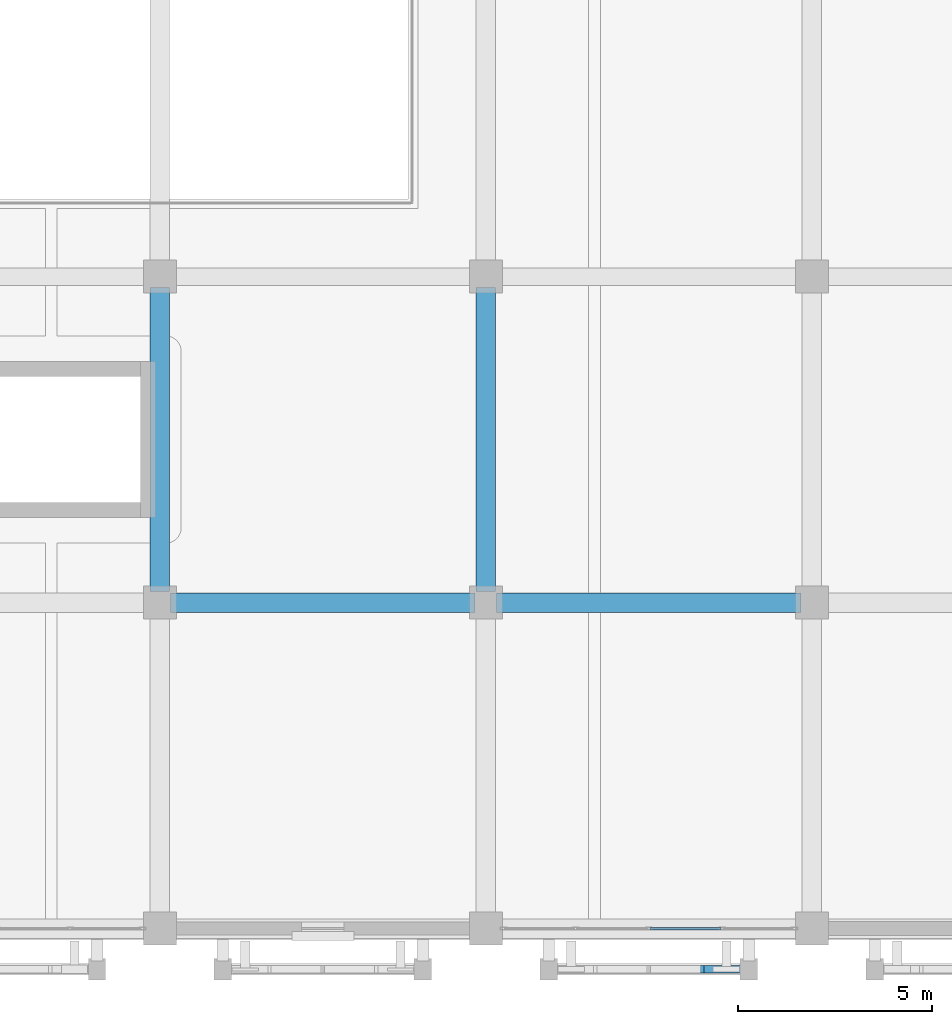
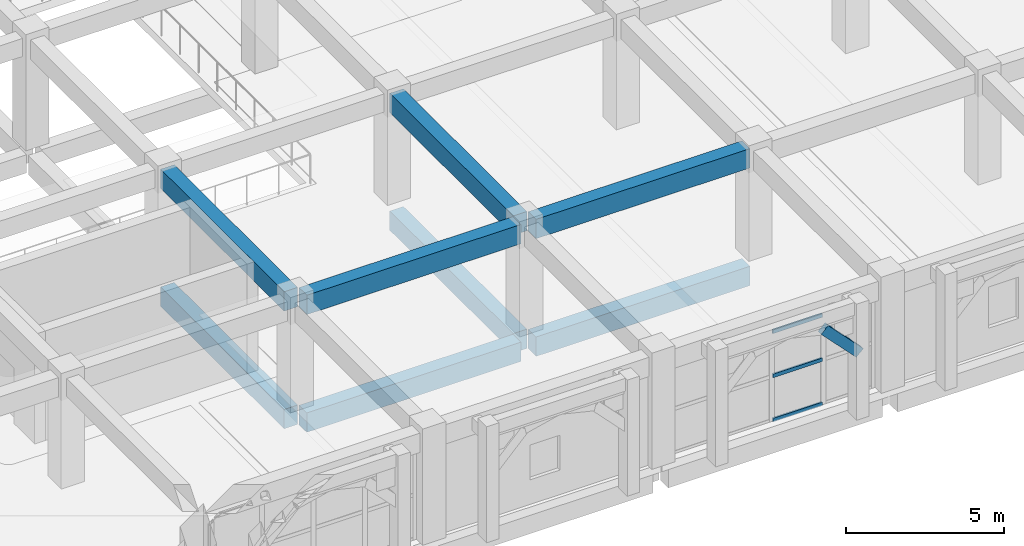
# One storey, part 10 of 129: 8 beams, 4 members, 1 element without a shape of its own.
"""IFC4 building model written with IfcOpenShell, lengths in metres."""

import ifcopenshell
import ifcopenshell.guid

model = None  # the IFC model being written
_history = None  # IfcOwnerHistory: only IFC2X3 demands one
_inside = {}  # id of a spatial element -> (the spatial element, [elements in it])
_under = {}  # id of a project, library or spatial element -> (it, [spatial elements below it])
_declared = {}  # id of a project -> (the project, [libraries it declares])
_typed = {}  # id of a type object -> (the type object, [elements of that type])
_made_of = {}  # id of a material, layer set ... -> (it, [elements and type objects made of it])


def new_model(schema):
    """Start an empty IFC model of exactly this schema.

    Asked for "IFC4X3", IfcOpenShell would pick the latest addendum, in which some entities
    have other attributes; the version numbers below select the first issue.
    IFC2X3 requires an IfcOwnerHistory on every rooted entity: one is made here for all.
    """
    global model, _history
    if schema == "IFC4X3":
        model = ifcopenshell.file(schema_version=(4, 3, 0, 0))
    else:
        model = ifcopenshell.file(schema=schema)
    _inside.clear()
    _under.clear()
    _declared.clear()
    _typed.clear()
    _made_of.clear()
    _history = None
    if model.schema == "IFC2X3":
        org = make("IfcOrganization", Name="unknown")
        user = make(
            "IfcPersonAndOrganization",
            ThePerson=make("IfcPerson", FamilyName="unknown"),
            TheOrganization=org,
        )
        app = make(
            "IfcApplication",
            ApplicationDeveloper=org,
            Version="unknown",
            ApplicationFullName="unknown",
            ApplicationIdentifier="unknown",
        )
        _history = make(
            "IfcOwnerHistory",
            OwningUser=user,
            OwningApplication=app,
            ChangeAction="ADDED",
            CreationDate=0,
        )
    return model


def make(cls, **values):
    """One entity of the class cls with the attributes given. An attribute that is None is left unset."""
    return model.create_entity(
        cls, **{name: value for name, value in values.items() if value is not None}
    )


def rooted(cls, **values):
    """An entity with a GlobalId (a new one), such as an element, a storey or a relation."""
    return make(cls, GlobalId=ifcopenshell.guid.new(), OwnerHistory=_history, **values)


def si_unit(unit_type, name, prefix=None):
    """IfcSIUnit, for example si_unit("LENGTHUNIT", "METRE", prefix="MILLI")."""
    return make("IfcSIUnit", UnitType=unit_type, Prefix=prefix, Name=name)


def assignment(units):
    """IfcUnitAssignment: the units of a project."""
    return None if units is None else make("IfcUnitAssignment", Units=units)


def point(xyz):
    """IfcCartesianPoint."""
    return None if xyz is None else make("IfcCartesianPoint", Coordinates=xyz)


def direction(xyz):
    """IfcDirection."""
    return None if xyz is None else make("IfcDirection", DirectionRatios=xyz)


def frame(location, z_axis=None, x_axis=None):
    """IfcAxis2Placement3D, a coordinate frame: its origin and axes. An axis left out is left unset."""
    return make(
        "IfcAxis2Placement3D",
        Location=point(location),
        Axis=direction(z_axis),
        RefDirection=direction(x_axis),
    )


def frame_2d(location, x_axis=None):
    """IfcAxis2Placement2D, a coordinate frame in the plane: its origin and x axis."""
    return make(
        "IfcAxis2Placement2D", Location=point(location), RefDirection=direction(x_axis)
    )


def origin():
    """The frame at (0, 0, 0) with its axes left unset."""
    return frame((0.0, 0.0, 0.0))


def origin_2d():
    """The frame at (0, 0) in the plane with its x axis left unset."""
    return frame_2d((0.0, 0.0))


def place(relative_to, where):
    """IfcLocalPlacement: puts the frame where relative to a parent placement (None: the world)."""
    return make(
        "IfcLocalPlacement", PlacementRelTo=relative_to, RelativePlacement=where
    )


def context(
    kind, dimensions, precision=None, world=None, true_north=None, identifier=None
):
    """IfcGeometricRepresentationContext, for example the 3D "Model" context."""
    return make(
        "IfcGeometricRepresentationContext",
        ContextIdentifier=identifier,
        ContextType=kind,
        CoordinateSpaceDimension=dimensions,
        Precision=precision,
        WorldCoordinateSystem=world,
        TrueNorth=true_north,
    )


def subcontext(parent, identifier, kind, view, scale=None):
    """IfcGeometricRepresentationSubContext, for example "Body" below "Model"."""
    return make(
        "IfcGeometricRepresentationSubContext",
        ContextIdentifier=identifier,
        ContextType=kind,
        ParentContext=parent,
        TargetScale=scale,
        TargetView=view,
    )


def project(units=None, contexts=None):
    """IfcProject with its units and contexts."""
    return rooted(
        "IfcProject",
        Name="project",
        RepresentationContexts=contexts,
        UnitsInContext=assignment(units),
    )


def spatial(cls, under=None, at=None, **own):
    """A site, building, storey or space (cls), placed at a placement, below another one or the project."""
    s = rooted(cls, ObjectPlacement=at, **own)
    if under is not None:
        _under.setdefault(under.id(), (under, []))[1].append(s)
    return s


def profile(cls, at=None, kind="AREA", **sizes):
    """A parametric profile (cls). Its sizes go by their IFC names, for example OverallWidth=200.0."""
    return make(cls, ProfileType=kind, Position=at, **sizes)


def rectangle(**sizes):
    """IfcRectangleProfileDef."""
    return profile("IfcRectangleProfileDef", **sizes)


def hollow_rectangle(**sizes):
    """IfcRectangleHollowProfileDef."""
    return profile("IfcRectangleHollowProfileDef", **sizes)


def extrude(swept, where, along, depth):
    """IfcExtrudedAreaSolid: the profile swept, set in the frame where, extruded along a direction by depth."""
    return make(
        "IfcExtrudedAreaSolid",
        SweptArea=swept,
        Position=where,
        ExtrudedDirection=direction(along),
        Depth=depth,
    )


def shape(context_of_items, identifier, shape_type, items):
    """IfcShapeRepresentation: the items that make up one representation, for example the "Body"."""
    return make(
        "IfcShapeRepresentation",
        ContextOfItems=context_of_items,
        RepresentationIdentifier=identifier,
        RepresentationType=shape_type,
        Items=items,
    )


def material(Name=None, Category=None):
    """IfcMaterial."""
    return make("IfcMaterial", Name=Name, Category=Category)


def layer(
    of_material, thickness, ventilated=None, Name=None, Category=None, Priority=None
):
    """IfcMaterialLayer: one layer of a wall or slab, of a material (None: an air gap)."""
    return make(
        "IfcMaterialLayer",
        Material=of_material,
        LayerThickness=thickness,
        IsVentilated=ventilated,
        Name=Name,
        Category=Category,
        Priority=Priority,
    )


def layer_set(layers, Name=None):
    """IfcMaterialLayerSet."""
    return make("IfcMaterialLayerSet", MaterialLayers=layers, LayerSetName=Name)


def material_profile(
    of_material, cross_section, Name=None, Category=None, Priority=None
):
    """IfcMaterialProfile: a cross section and its material."""
    return make(
        "IfcMaterialProfile",
        Name=Name,
        Material=of_material,
        Profile=cross_section,
        Priority=Priority,
        Category=Category,
    )


def profile_set(profiles, Name=None, composite=None):
    """IfcMaterialProfileSet."""
    return make(
        "IfcMaterialProfileSet",
        Name=Name,
        MaterialProfiles=profiles,
        CompositeProfile=composite,
    )


def made_of(thing, what):
    """Note that an element or type object is made of a material, layer set ...; save() writes the relation."""
    if what is not None:
        _made_of.setdefault(what.id(), (what, []))[1].append(thing)
    return thing


def type_object(cls, material=None, **own):
    """A type object (cls), such as IfcWallType, which elements share."""
    return made_of(rooted(cls, **own), material)


def element(
    cls,
    number,
    at=None,
    inside=None,
    cuts=None,
    type_object=None,
    material=None,
    context=None,
    identifier="Body",
    shape_type=None,
    held_by="IfcProductDefinitionShape",
    body=None,
    shapes=None,
    **own,
):
    """One element of the class cls, such as IfcWall. Its Tag is "e" and its number.

    at: its placement. inside: the storey or other place that contains it. cuts: it is an
    opening in that element (IfcRelVoidsElement). A single representation is given by context,
    identifier, shape_type and body (its items); several are given by shapes. held_by: the class
    of the entity that holds the representations. save() writes the other relations.
    """
    e = rooted(cls, Tag="e%d" % number, ObjectPlacement=at, **own)
    if body is not None:
        shapes = [shape(context, identifier, shape_type, body)]
    if shapes is not None:
        e.Representation = make(held_by, Representations=shapes)
    if inside is not None:
        _inside.setdefault(inside.id(), (inside, []))[1].append(e)
    if cuts is not None:
        rooted(
            "IfcRelVoidsElement", RelatingBuildingElement=cuts, RelatedOpeningElement=e
        )
    if type_object is not None:
        _typed.setdefault(type_object.id(), (type_object, []))[1].append(e)
    return made_of(e, material)


def aggregate(whole, parts):
    """IfcRelAggregates: a whole, such as a stair, and the parts it consists of."""
    return rooted("IfcRelAggregates", RelatingObject=whole, RelatedObjects=parts)


def save(model, path):
    """Write the relations noted so far, then the file.

    IfcRelAggregates (storeys below a building ...), IfcRelContainedInSpatialStructure (elements
    in a storey), IfcRelDefinesByType, IfcRelAssociatesMaterial and IfcRelDeclares: one each for
    every whole, place, type object, material and project.
    """
    for whole, parts in _under.values():
        aggregate(whole, parts)
    for where, things in _inside.values():
        rooted(
            "IfcRelContainedInSpatialStructure",
            RelatedElements=things,
            RelatingStructure=where,
        )
    for kind, things in _typed.values():
        rooted("IfcRelDefinesByType", RelatedObjects=things, RelatingType=kind)
    for what, things in _made_of.values():
        rooted("IfcRelAssociatesMaterial", RelatedObjects=things, RelatingMaterial=what)
    for by, libraries in _declared.values():
        rooted("IfcRelDeclares", RelatingContext=by, RelatedDefinitions=libraries)
    model.write(path)


model = new_model("IFC4")

# Units and contexts
model_context = context("Model", 3, precision=1e-05, world=origin(), true_north=direction((0.0, 1.0)))
body_context = subcontext(model_context, "Body", "Model", "MODEL_VIEW")
ifc_project = project(units=[si_unit("LENGTHUNIT", "METRE"), si_unit("AREAUNIT", "SQUARE_METRE"), si_unit("VOLUMEUNIT", "CUBIC_METRE"), si_unit("PLANEANGLEUNIT", "RADIAN"), si_unit("MASSUNIT", "GRAM", prefix="KILO")], contexts=[model_context])

# Site, building, storey
site_placement = place(None, origin())
site = spatial("IfcSite", under=ifc_project, at=site_placement, CompositionType="ELEMENT")
building_placement = place(site_placement, origin())
building = spatial("IfcBuilding", under=site, at=building_placement, Name="Xazarin Passage Department Store", CompositionType="ELEMENT")
storey_placement = place(building_placement, frame((0.0, 0.0, 9.89990234375)))
storey = spatial("IfcBuildingStorey", under=building, at=storey_placement, Name="L02", CompositionType="ELEMENT", Elevation=9.89990234375)

# Curtain wall, members
ifc_material_1 = material(Name="Bronze anodised aluminium", Category="aluminium")
ifc_layer = layer(ifc_material_1, 0.18994140625)
ifc_layer_set = layer_set([ifc_layer], Name="Bronze anodised aluminium")
curtain_wall_type = type_object("IfcCurtainWallType", Name="ARC-CW-FDH1", PredefinedType="NOTDEFINED", material=ifc_layer_set)
curtain_wall_placement = place(storey_placement, origin())
curtain_wall = element("IfcCurtainWall", 1, at=curtain_wall_placement, inside=storey, type_object=curtain_wall_type, Name="L02 V3 Curtain Wall 132", PredefinedType="NOTDEFINED")
ifc_material_profile_1 = material_profile(ifc_material_1, hollow_rectangle(XDim=0.06494140625, YDim=0.139892578125, WallThickness=0.00390625, at=origin_2d()), Name="ALU 65x140")
ifc_profile_set_1 = profile_set([ifc_material_profile_1], Name="Bronze anodised aluminium")
member_type_1 = type_object("IfcMemberType", Name="ARC-CWT-65x140", PredefinedType="USERDEFINED", material=ifc_profile_set_1)
member_1_placement = place(storey_placement, frame((46.232421875, 0.0, 0.03271484375), z_axis=(1.0, 0.0, 0.0), x_axis=(0.0, 1.0, 0.0)))
member_1 = element("IfcMember", 2, at=member_1_placement, type_object=member_type_1, Name="CW5 transom 3.1", ObjectType="TRANSOM", PredefinedType="USERDEFINED", context=body_context, shape_type="SweptSolid", body=[
    extrude(hollow_rectangle(XDim=0.06494140625, YDim=0.139892578125, WallThickness=0.00390625, at=origin_2d()), origin(), (0.0, 0.0, 1.0), 1.822509765625),
])
member_2_placement = place(storey_placement, frame((46.232421875, 0.0, 1.7451171875), z_axis=(1.0, 0.0, 0.0), x_axis=(0.0, 1.0, 0.0)))
member_2 = element("IfcMember", 3, at=member_2_placement, type_object=member_type_1, Name="CW5 transom 3.2", ObjectType="TRANSOM", PredefinedType="USERDEFINED", context=body_context, shape_type="SweptSolid", body=[
    extrude(hollow_rectangle(XDim=0.06494140625, YDim=0.139892578125, WallThickness=0.00390625, at=origin_2d()), origin(), (0.0, 0.0, 1.0), 1.822509765625),
])
member_3_placement = place(storey_placement, frame((46.232421875, 0.0, 3.45751953125), z_axis=(1.0, 0.0, 0.0), x_axis=(0.0, 1.0, 0.0)))
member_3 = element("IfcMember", 4, at=member_3_placement, type_object=member_type_1, Name="CW5 transom 3.3", ObjectType="TRANSOM", PredefinedType="USERDEFINED", context=body_context, shape_type="SweptSolid", body=[
    extrude(hollow_rectangle(XDim=0.06494140625, YDim=0.139892578125, WallThickness=0.00390625, at=origin_2d()), origin(), (0.0, 0.0, 1.0), 1.822509765625),
])
aggregate(curtain_wall, [member_1, member_2, member_3])

# Beams
ifc_material_2 = material(Name="Concrete C35/45", Category="concrete")
ifc_material_profile_2 = material_profile(ifc_material_2, rectangle(XDim=0.5, YDim=0.75, at=origin_2d()), Name="RC 500x750")
ifc_profile_set_2 = profile_set([ifc_material_profile_2], Name="Concrete C35/45")
beam_type = type_object("IfcBeamType", Name="STR-BM-SP500x750", PredefinedType="SPANDREL", material=ifc_profile_set_2)
for number, where, z_axis, x_axis, name in (
    (5, (33.8798828125, 8.39990234375, -0.69482421875), (1.0, 0.0, 0.0), (0.0, 1.0, 0.0), "L02 Grid Beam B/5-6"),
    (6, (42.280029296875, 8.39990234375, -0.69482421875), (1.0, 0.0, 0.0), (0.0, 1.0, 0.0), "L02 Grid Beam B/6-7"),
    (7, (33.60009765625, 8.679931640625, -0.69482421875), (0.0, 1.0, 0.0), (-1.0, 0.0, 0.0), "L02 Grid Beam 5/B-C"),
    (8, (42.0, 8.679931640625, -0.69482421875), (0.0, 1.0, 0.0), (-1.0, 0.0, 0.0), "L02 Grid Beam 6/B-C"),
    (9, (33.8798828125, 8.39990234375, 3.864990234375), (1.0, 0.0, 0.0), (0.0, 1.0, 0.0), "L02 Grid Beam B/5-6"),
    (10, (42.280029296875, 8.39990234375, 3.864990234375), (1.0, 0.0, 0.0), (0.0, 1.0, 0.0), "L02 Grid Beam B/6-7"),
    (11, (33.60009765625, 8.679931640625, 3.864990234375), (0.0, 1.0, 0.0), (-1.0, 0.0, 0.0), "L02 Grid Beam 5/B-C"),
    (12, (42.0, 8.679931640625, 3.864990234375), (0.0, 1.0, 0.0), (-1.0, 0.0, 0.0), "L02 Grid Beam 6/B-C"),
):
    element("IfcBeam", number, at=place(storey_placement, frame(where, z_axis=z_axis, x_axis=x_axis)), inside=storey, type_object=beam_type, Name=name, PredefinedType="SPANDREL", context=body_context, shape_type="SweptSolid", body=[
        extrude(rectangle(XDim=0.5, YDim=0.75, at=origin_2d()), origin(), (0.0, 0.0, 1.0), 7.840087890625),
    ])

# Member
ifc_material_3 = material(Name="Concrete C40/50", Category="concrete")
ifc_material_profile_3 = material_profile(ifc_material_3, rectangle(XDim=0.199951171875, YDim=0.360107421875, at=origin_2d()), Name="RC 200x360")
ifc_profile_set_3 = profile_set([ifc_material_profile_3], Name="Concrete C40/50")
member_type_2 = type_object("IfcMemberType", Name="STR-MEM-ARC360", PredefinedType="CHORD", material=ifc_profile_set_3)
member_4_placement = place(storey_placement, frame((47.489990234375, -1.050048828125, 3.7705078125), z_axis=(0.693460080602, 0.0, -0.720495049679), x_axis=(0.0, 1.0, 0.0)))
element("IfcMember", 13, at=member_4_placement, inside=storey, type_object=member_type_2, Name="L02 V3 Pierced Lattice Curved Arch 031.4", PredefinedType="CHORD", context=body_context, shape_type="SweptSolid", body=[
    extrude(rectangle(XDim=0.199951171875, YDim=0.360107421875, at=origin_2d()), origin(), (0.0, 0.0, 1.0), 1.8603515625),
])

save(model, "model.ifc")
